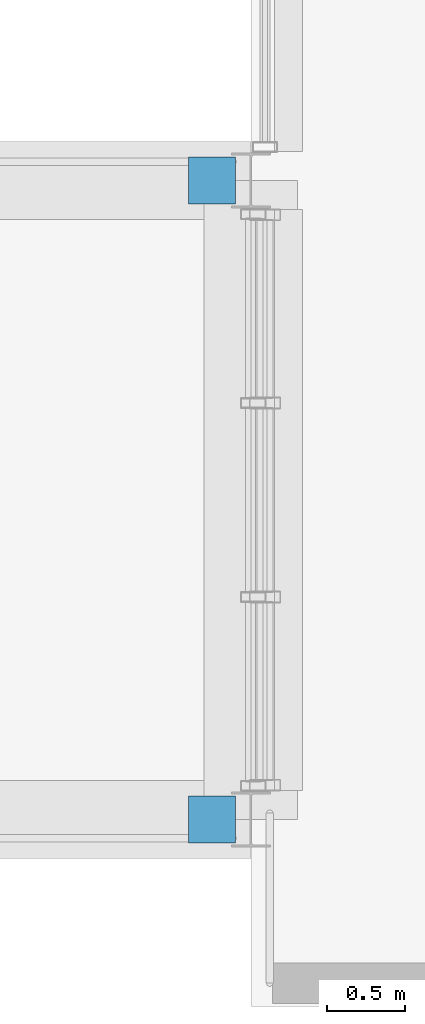
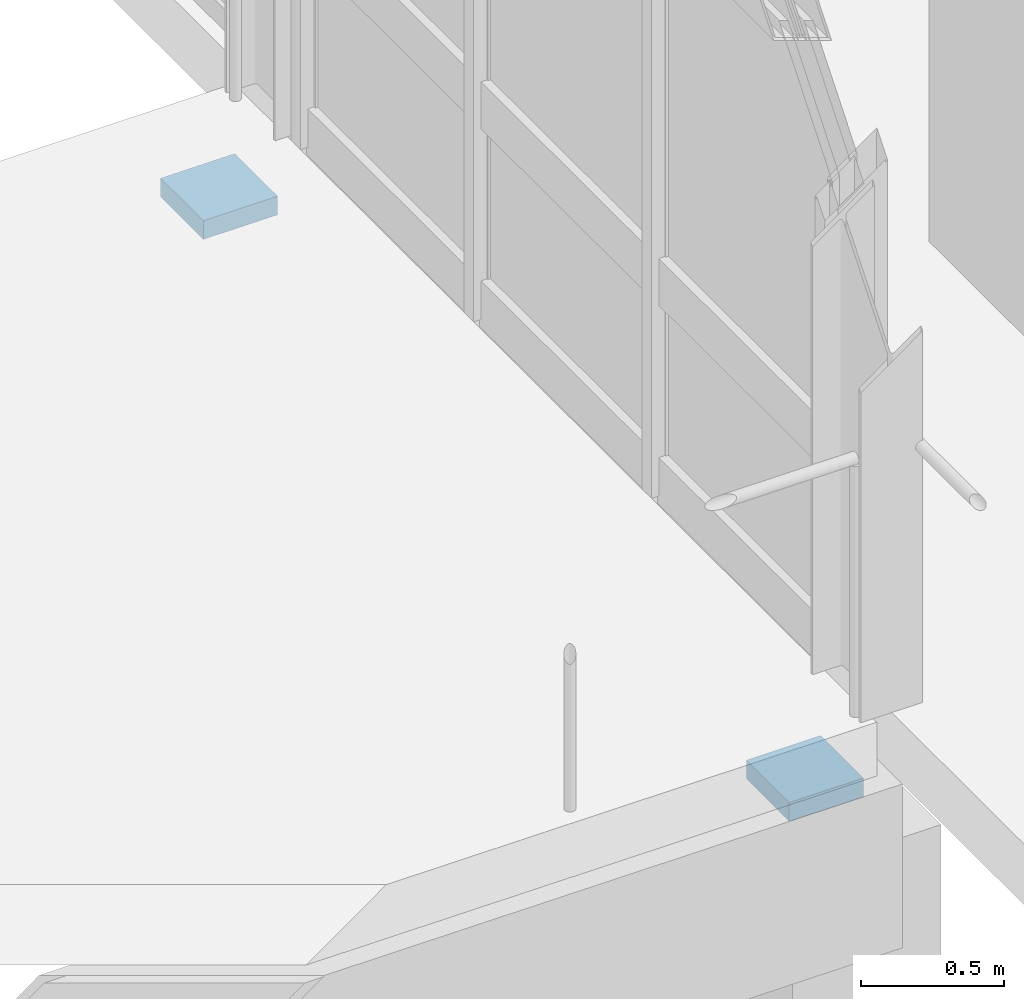
# One storey, part 95 of 100: 2 discrete accessories.
"""IFC4 building model written with IfcOpenShell, lengths in metres."""

from ifc_helpers import new_model, si_unit, derived_unit, direction, frame, origin, origin_2d, place, context, subcontext, project, spatial, rectangle, extrude, material, type_object, element, save


model = new_model("IFC4")

# Units and contexts
model_context = context("Model", 3, precision=1e-05, world=origin(), true_north=direction((0.0, 1.0)))
body_context = subcontext(model_context, "Body", "Model", "MODEL_VIEW")
ifc_project = project(units=[si_unit("LENGTHUNIT", "METRE"), si_unit("AREAUNIT", "SQUARE_METRE"), si_unit("VOLUMEUNIT", "CUBIC_METRE"), si_unit("PLANEANGLEUNIT", "RADIAN"), si_unit("MASSUNIT", "GRAM", prefix="KILO"), derived_unit("THERMALTRANSMITTANCEUNIT", [(si_unit("POWERUNIT", "WATT"), 1), (si_unit("LENGTHUNIT", "METRE"), -2), (si_unit("THERMODYNAMICTEMPERATUREUNIT", "KELVIN"), -1)])], contexts=[model_context])

# Site, building, storey
site_placement = place(None, origin())
site = spatial("IfcSite", under=ifc_project, at=site_placement, CompositionType="ELEMENT")
building_placement = place(site_placement, origin())
building = spatial("IfcBuilding", under=site, at=building_placement, Name="Nallur Shell Playhouse", CompositionType="ELEMENT")
storey_placement = place(building_placement, frame((0.0, 0.0, 10.199951171875)))
storey = spatial("IfcBuildingStorey", under=building, at=storey_placement, Name="L03", CompositionType="ELEMENT", Elevation=10.199951171875)

# Discrete accessories
ifc_material = material(Name="Elastomeric PTFE Bearing Assembly")
discrete_accessory_type = type_object("IfcDiscreteAccessoryType", Name="AC-BEARING-PTFE", PredefinedType="USERDEFINED", material=ifc_material)
for number, where, z_axis, x_axis, name in (
    (1, (53.75, 48.199951171875, -0.340087890625), (0.0, 0.0, 1.0), (1.0, 0.0, 0.0), "Courtyard bridge unguided PTFE sliding bearing BRG-01-05"),
    (2, (53.75, 52.300048828125, -0.340087890625), (0.0, 0.0, 1.0), (1.0, 0.0, 0.0), "Courtyard bridge unguided PTFE sliding bearing BRG-01-06"),
):
    element("IfcDiscreteAccessory", number, at=place(storey_placement, frame(where, z_axis=z_axis, x_axis=x_axis)), inside=storey, type_object=discrete_accessory_type, Name=name, ObjectType="SLIDING BEARING", PredefinedType="USERDEFINED", context=body_context, shape_type="SweptSolid", body=[
        extrude(rectangle(XDim=0.300048828125, YDim=0.300048828125, at=origin_2d()), origin(), (0.0, 0.0, 1.0), 0.080078125),
    ])

save(model, "model.ifc")
